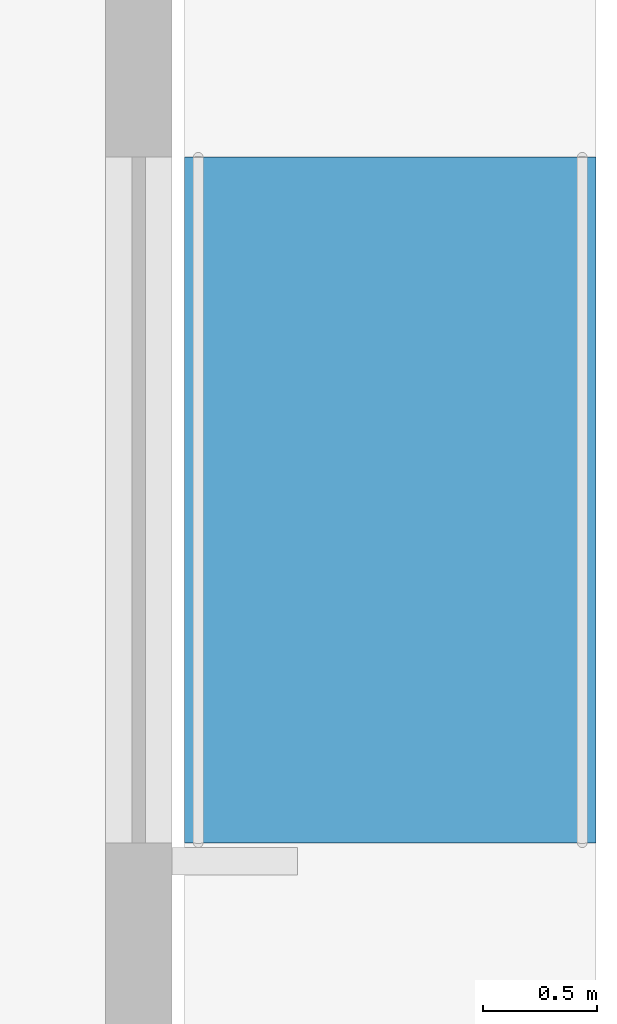
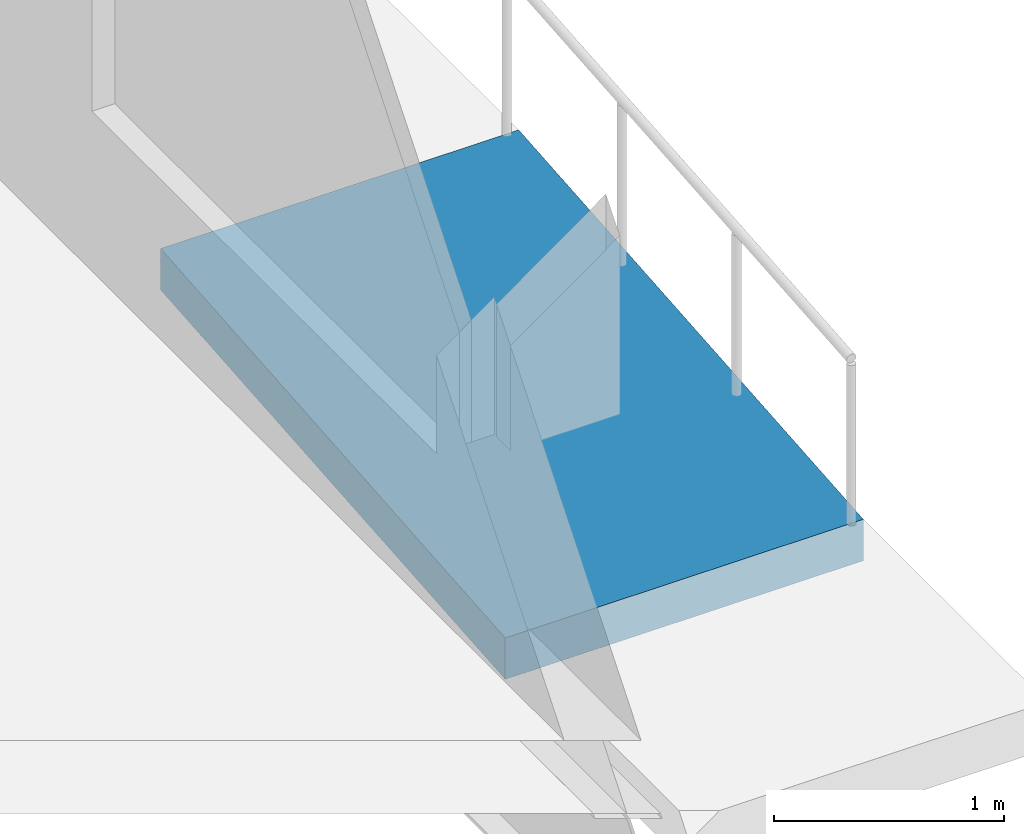
# One storey, part 45 of 84: 1 ramp flight, 1 element without a shape of its own.
"""IFC4 building model written with IfcOpenShell, lengths in metres."""

import ifcopenshell
import ifcopenshell.guid

model = None  # the IFC model being written
_history = None  # IfcOwnerHistory: only IFC2X3 demands one
_inside = {}  # id of a spatial element -> (the spatial element, [elements in it])
_under = {}  # id of a project, library or spatial element -> (it, [spatial elements below it])
_declared = {}  # id of a project -> (the project, [libraries it declares])
_typed = {}  # id of a type object -> (the type object, [elements of that type])
_made_of = {}  # id of a material, layer set ... -> (it, [elements and type objects made of it])


def new_model(schema):
    """Start an empty IFC model of exactly this schema.

    Asked for "IFC4X3", IfcOpenShell would pick the latest addendum, in which some entities
    have other attributes; the version numbers below select the first issue.
    IFC2X3 requires an IfcOwnerHistory on every rooted entity: one is made here for all.
    """
    global model, _history
    if schema == "IFC4X3":
        model = ifcopenshell.file(schema_version=(4, 3, 0, 0))
    else:
        model = ifcopenshell.file(schema=schema)
    _inside.clear()
    _under.clear()
    _declared.clear()
    _typed.clear()
    _made_of.clear()
    _history = None
    if model.schema == "IFC2X3":
        org = make("IfcOrganization", Name="unknown")
        user = make(
            "IfcPersonAndOrganization",
            ThePerson=make("IfcPerson", FamilyName="unknown"),
            TheOrganization=org,
        )
        app = make(
            "IfcApplication",
            ApplicationDeveloper=org,
            Version="unknown",
            ApplicationFullName="unknown",
            ApplicationIdentifier="unknown",
        )
        _history = make(
            "IfcOwnerHistory",
            OwningUser=user,
            OwningApplication=app,
            ChangeAction="ADDED",
            CreationDate=0,
        )
    return model


def make(cls, **values):
    """One entity of the class cls with the attributes given. An attribute that is None is left unset."""
    return model.create_entity(
        cls, **{name: value for name, value in values.items() if value is not None}
    )


def rooted(cls, **values):
    """An entity with a GlobalId (a new one), such as an element, a storey or a relation."""
    return make(cls, GlobalId=ifcopenshell.guid.new(), OwnerHistory=_history, **values)


def si_unit(unit_type, name, prefix=None):
    """IfcSIUnit, for example si_unit("LENGTHUNIT", "METRE", prefix="MILLI")."""
    return make("IfcSIUnit", UnitType=unit_type, Prefix=prefix, Name=name)


def assignment(units):
    """IfcUnitAssignment: the units of a project."""
    return None if units is None else make("IfcUnitAssignment", Units=units)


def point(xyz):
    """IfcCartesianPoint."""
    return None if xyz is None else make("IfcCartesianPoint", Coordinates=xyz)


def direction(xyz):
    """IfcDirection."""
    return None if xyz is None else make("IfcDirection", DirectionRatios=xyz)


def frame(location, z_axis=None, x_axis=None):
    """IfcAxis2Placement3D, a coordinate frame: its origin and axes. An axis left out is left unset."""
    return make(
        "IfcAxis2Placement3D",
        Location=point(location),
        Axis=direction(z_axis),
        RefDirection=direction(x_axis),
    )


def origin():
    """The frame at (0, 0, 0) with its axes left unset."""
    return frame((0.0, 0.0, 0.0))


def place(relative_to, where):
    """IfcLocalPlacement: puts the frame where relative to a parent placement (None: the world)."""
    return make(
        "IfcLocalPlacement", PlacementRelTo=relative_to, RelativePlacement=where
    )


def context(
    kind, dimensions, precision=None, world=None, true_north=None, identifier=None
):
    """IfcGeometricRepresentationContext, for example the 3D "Model" context."""
    return make(
        "IfcGeometricRepresentationContext",
        ContextIdentifier=identifier,
        ContextType=kind,
        CoordinateSpaceDimension=dimensions,
        Precision=precision,
        WorldCoordinateSystem=world,
        TrueNorth=true_north,
    )


def subcontext(parent, identifier, kind, view, scale=None):
    """IfcGeometricRepresentationSubContext, for example "Body" below "Model"."""
    return make(
        "IfcGeometricRepresentationSubContext",
        ContextIdentifier=identifier,
        ContextType=kind,
        ParentContext=parent,
        TargetScale=scale,
        TargetView=view,
    )


def project(units=None, contexts=None):
    """IfcProject with its units and contexts."""
    return rooted(
        "IfcProject",
        Name="project",
        RepresentationContexts=contexts,
        UnitsInContext=assignment(units),
    )


def spatial(cls, under=None, at=None, **own):
    """A site, building, storey or space (cls), placed at a placement, below another one or the project."""
    s = rooted(cls, ObjectPlacement=at, **own)
    if under is not None:
        _under.setdefault(under.id(), (under, []))[1].append(s)
    return s


def polyline(points):
    """IfcPolyline through the points."""
    return make("IfcPolyline", Points=[point(p) for p in points])


def outline(outer, holes=None, kind="AREA"):
    """IfcArbitraryClosedProfileDef: a profile drawn as a closed curve; with holes, ...WithVoids."""
    if holes is None:
        return make("IfcArbitraryClosedProfileDef", ProfileType=kind, OuterCurve=outer)
    return make(
        "IfcArbitraryProfileDefWithVoids",
        ProfileType=kind,
        OuterCurve=outer,
        InnerCurves=holes,
    )


def extrude(swept, where, along, depth):
    """IfcExtrudedAreaSolid: the profile swept, set in the frame where, extruded along a direction by depth."""
    return make(
        "IfcExtrudedAreaSolid",
        SweptArea=swept,
        Position=where,
        ExtrudedDirection=direction(along),
        Depth=depth,
    )


def shape(context_of_items, identifier, shape_type, items):
    """IfcShapeRepresentation: the items that make up one representation, for example the "Body"."""
    return make(
        "IfcShapeRepresentation",
        ContextOfItems=context_of_items,
        RepresentationIdentifier=identifier,
        RepresentationType=shape_type,
        Items=items,
    )


def material(Name=None, Category=None):
    """IfcMaterial."""
    return make("IfcMaterial", Name=Name, Category=Category)


def layer(
    of_material, thickness, ventilated=None, Name=None, Category=None, Priority=None
):
    """IfcMaterialLayer: one layer of a wall or slab, of a material (None: an air gap)."""
    return make(
        "IfcMaterialLayer",
        Material=of_material,
        LayerThickness=thickness,
        IsVentilated=ventilated,
        Name=Name,
        Category=Category,
        Priority=Priority,
    )


def layer_set(layers, Name=None):
    """IfcMaterialLayerSet."""
    return make("IfcMaterialLayerSet", MaterialLayers=layers, LayerSetName=Name)


def made_of(thing, what):
    """Note that an element or type object is made of a material, layer set ...; save() writes the relation."""
    if what is not None:
        _made_of.setdefault(what.id(), (what, []))[1].append(thing)
    return thing


def type_object(cls, material=None, **own):
    """A type object (cls), such as IfcWallType, which elements share."""
    return made_of(rooted(cls, **own), material)


def element(
    cls,
    number,
    at=None,
    inside=None,
    cuts=None,
    type_object=None,
    material=None,
    context=None,
    identifier="Body",
    shape_type=None,
    held_by="IfcProductDefinitionShape",
    body=None,
    shapes=None,
    **own,
):
    """One element of the class cls, such as IfcWall. Its Tag is "e" and its number.

    at: its placement. inside: the storey or other place that contains it. cuts: it is an
    opening in that element (IfcRelVoidsElement). A single representation is given by context,
    identifier, shape_type and body (its items); several are given by shapes. held_by: the class
    of the entity that holds the representations. save() writes the other relations.
    """
    e = rooted(cls, Tag="e%d" % number, ObjectPlacement=at, **own)
    if body is not None:
        shapes = [shape(context, identifier, shape_type, body)]
    if shapes is not None:
        e.Representation = make(held_by, Representations=shapes)
    if inside is not None:
        _inside.setdefault(inside.id(), (inside, []))[1].append(e)
    if cuts is not None:
        rooted(
            "IfcRelVoidsElement", RelatingBuildingElement=cuts, RelatedOpeningElement=e
        )
    if type_object is not None:
        _typed.setdefault(type_object.id(), (type_object, []))[1].append(e)
    return made_of(e, material)


def aggregate(whole, parts):
    """IfcRelAggregates: a whole, such as a stair, and the parts it consists of."""
    return rooted("IfcRelAggregates", RelatingObject=whole, RelatedObjects=parts)


def save(model, path):
    """Write the relations noted so far, then the file.

    IfcRelAggregates (storeys below a building ...), IfcRelContainedInSpatialStructure (elements
    in a storey), IfcRelDefinesByType, IfcRelAssociatesMaterial and IfcRelDeclares: one each for
    every whole, place, type object, material and project.
    """
    for whole, parts in _under.values():
        aggregate(whole, parts)
    for where, things in _inside.values():
        rooted(
            "IfcRelContainedInSpatialStructure",
            RelatedElements=things,
            RelatingStructure=where,
        )
    for kind, things in _typed.values():
        rooted("IfcRelDefinesByType", RelatedObjects=things, RelatingType=kind)
    for what, things in _made_of.values():
        rooted("IfcRelAssociatesMaterial", RelatedObjects=things, RelatingMaterial=what)
    for by, libraries in _declared.values():
        rooted("IfcRelDeclares", RelatingContext=by, RelatedDefinitions=libraries)
    model.write(path)


model = new_model("IFC4")

# Units and contexts
model_context = context("Model", 3, precision=1e-05, world=origin(), true_north=direction((0.0, 1.0)))
body_context = subcontext(model_context, "Body", "Model", "MODEL_VIEW")
ifc_project = project(units=[si_unit("LENGTHUNIT", "METRE"), si_unit("AREAUNIT", "SQUARE_METRE"), si_unit("VOLUMEUNIT", "CUBIC_METRE"), si_unit("PLANEANGLEUNIT", "RADIAN"), si_unit("MASSUNIT", "GRAM", prefix="KILO")], contexts=[model_context])

# Site, building, storey
site_placement = place(None, origin())
site = spatial("IfcSite", under=ifc_project, at=site_placement, CompositionType="ELEMENT")
building_placement = place(site_placement, origin())
building = spatial("IfcBuilding", under=site, at=building_placement, Name="Kisiwana Market Hall", CompositionType="ELEMENT")
storey_placement = place(building_placement, origin())
storey = spatial("IfcBuildingStorey", under=building, at=storey_placement, Name="L00", CompositionType="ELEMENT", Elevation=0.0)

# Ramp, ramp flight
ifc_material_1 = material(Name="Concrete C32/40", Category="concrete")
ramp_type = type_object("IfcRampType", Name="RMP-PED-12", PredefinedType="STRAIGHT_RUN_RAMP", material=ifc_material_1)
ramp_placement = place(storey_placement, origin())
ramp = element("IfcRamp", 1, at=ramp_placement, inside=storey, type_object=ramp_type, Name="East Foyer North Ramp", PredefinedType="STRAIGHT_RUN_RAMP")
ifc_material_2 = material(Name="Concrete C32/40", Category="concrete")
ifc_layer = layer(ifc_material_2, 0.199951171875)
ifc_layer_set = layer_set([ifc_layer], Name="RMPF-PED-12")
ramp_flight_type = type_object("IfcRampFlightType", Name="RMPF-PED-12", PredefinedType="STRAIGHT", material=ifc_layer_set)
ramp_flight_placement = place(storey_placement, frame((199.10009765625, 70.5, -0.25), z_axis=(0.0, 0.0, 1.0), x_axis=(0.0, 1.0, 0.0)))
ramp_flight = element("IfcRampFlight", 2, at=ramp_flight_placement, type_object=ramp_flight_type, Name="East Foyer North Ramp flight RP-003", PredefinedType="STRAIGHT", context=body_context, shape_type="SweptSolid", body=[
    extrude(outline(polyline([(0.0, -0.219970703125), (3.0, 0.030029296875), (3.0, 0.25), (0.0, 0.0), (0.0, -0.219970703125)])), frame((0.0, 0.89990234375, 0.0), z_axis=(0.0, -1.0, 0.0), x_axis=(1.0, 0.0, 0.0)), (0.0, 0.0, 1.0), 1.800048828125),
])
aggregate(ramp, [ramp_flight])

save(model, "model.ifc")
